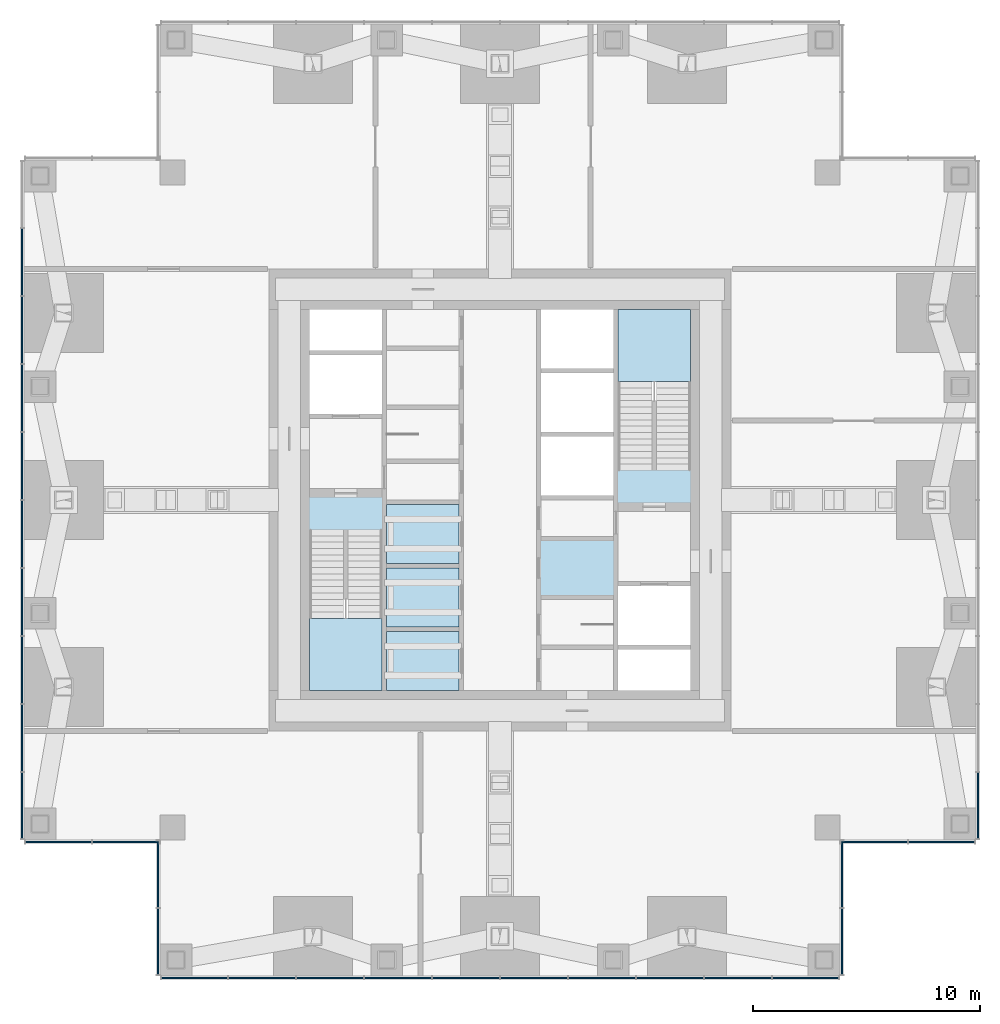
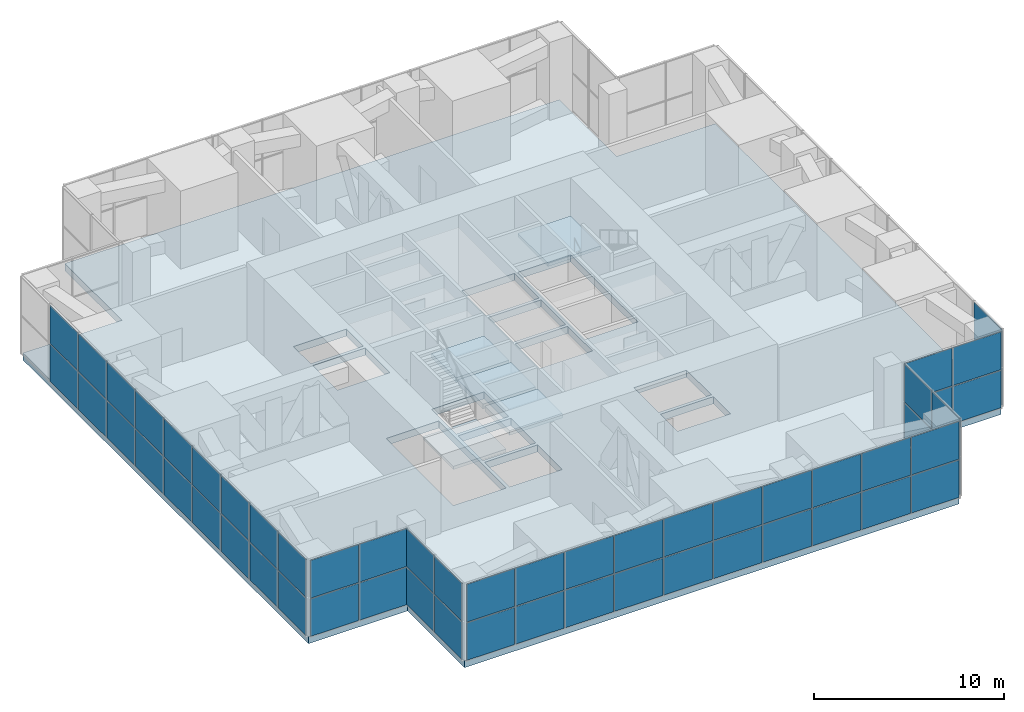
# One storey, part 9 of 13: 56 plates, 6 slabs, 9 elements without a shape of their own.
"""IFC4 building model written with IfcOpenShell, lengths in metres."""

from ifc_helpers import new_model, si_unit, direction, frame, origin, origin_2d, place, context, subcontext, project, spatial, polyline, rectangle, outline, extrude, material, layer, layer_set, type_object, element, aggregate, save


model = new_model("IFC4")

# Units and contexts
model_context = context("Model", 3, precision=1e-05, world=origin(), true_north=direction((0.0, 1.0)))
body_context = subcontext(model_context, "Body", "Model", "MODEL_VIEW")
ifc_project = project(units=[si_unit("LENGTHUNIT", "METRE"), si_unit("AREAUNIT", "SQUARE_METRE"), si_unit("VOLUMEUNIT", "CUBIC_METRE"), si_unit("PLANEANGLEUNIT", "RADIAN"), si_unit("MASSUNIT", "GRAM", prefix="KILO")], contexts=[model_context])

# Site, building, storey
site_placement = place(None, origin())
site = spatial("IfcSite", under=ifc_project, at=site_placement, CompositionType="ELEMENT")
building_placement = place(site_placement, origin())
building = spatial("IfcBuilding", under=site, at=building_placement, Name="Svetlomir Tower", CompositionType="ELEMENT")
storey_placement = place(building_placement, frame((0.0, 0.0, 86.5)))
storey = spatial("IfcBuildingStorey", under=building, at=storey_placement, Name="L20", CompositionType="ELEMENT", Elevation=86.5)

# Curtain wall, plates
ifc_material_1 = material(Name="Bronze anodised aluminium curtain wall", Category="aluminium")
curtain_wall_type = type_object("IfcCurtainWallType", Name="CURTAIN WALL CW3 PLANT LOUVRE", PredefinedType="NOTDEFINED", material=ifc_material_1)
curtain_wall_1_placement = place(storey_placement, origin())
curtain_wall_1 = element("IfcCurtainWall", 1, at=curtain_wall_1_placement, inside=storey, type_object=curtain_wall_type, Name="Curtain wall CW3 L20", PredefinedType="NOTDEFINED")
ifc_material_2 = material(Name="Bronze anodised aluminium louvre", Category="aluminium")
ifc_layer_1 = layer(ifc_material_2, 0.050048828125)
ifc_layer_set_1 = layer_set([ifc_layer_1], Name="Bronze anodised aluminium louvre")
plate_type = type_object("IfcPlateType", Name="CW3 LOUVRE PANEL 50", PredefinedType="CURTAIN_PANEL", material=ifc_layer_set_1)
plate_1_placement = place(storey_placement, frame((7.516357421875, -0.090087890625, 0.06494140625), z_axis=(0.0, 0.0, 1.0), x_axis=(1.0, 0.0, 0.0)))
plate_1 = element("IfcPlate", 2, at=plate_1_placement, type_object=plate_type, Name="CW3 panel 1.1", PredefinedType="CURTAIN_PANEL", context=body_context, shape_type="SweptSolid", body=[
    extrude(rectangle(XDim=2.902587890625, YDim=0.050048828125, at=origin_2d()), origin(), (0.0, 0.0, 1.0), 2.38623046875),
])
plate_2_placement = place(storey_placement, frame((7.516357421875, -0.090087890625, 2.51611328125), z_axis=(0.0, 0.0, 1.0), x_axis=(1.0, 0.0, 0.0)))
plate_2 = element("IfcPlate", 3, at=plate_2_placement, type_object=plate_type, Name="CW3 panel 1.2", PredefinedType="CURTAIN_PANEL", context=body_context, shape_type="SweptSolid", body=[
    extrude(rectangle(XDim=2.902587890625, YDim=0.050048828125, at=origin_2d()), origin(), (0.0, 0.0, 1.0), 2.418701171875),
])
plate_3_placement = place(storey_placement, frame((10.5, -0.090087890625, 0.06494140625), z_axis=(0.0, 0.0, 1.0), x_axis=(1.0, 0.0, 0.0)))
plate_3 = element("IfcPlate", 4, at=plate_3_placement, type_object=plate_type, Name="CW3 panel 2.1", PredefinedType="CURTAIN_PANEL", context=body_context, shape_type="SweptSolid", body=[
    extrude(rectangle(XDim=2.93505859375, YDim=0.050048828125, at=origin_2d()), origin(), (0.0, 0.0, 1.0), 2.38623046875),
])
plate_4_placement = place(storey_placement, frame((10.5, -0.090087890625, 2.51611328125), z_axis=(0.0, 0.0, 1.0), x_axis=(1.0, 0.0, 0.0)))
plate_4 = element("IfcPlate", 5, at=plate_4_placement, type_object=plate_type, Name="CW3 panel 2.2", PredefinedType="CURTAIN_PANEL", context=body_context, shape_type="SweptSolid", body=[
    extrude(rectangle(XDim=2.93505859375, YDim=0.050048828125, at=origin_2d()), origin(), (0.0, 0.0, 1.0), 2.418701171875),
])
plate_5_placement = place(storey_placement, frame((13.5, -0.090087890625, 0.06494140625), z_axis=(0.0, 0.0, 1.0), x_axis=(1.0, 0.0, 0.0)))
plate_5 = element("IfcPlate", 6, at=plate_5_placement, type_object=plate_type, Name="CW3 panel 3.1", PredefinedType="CURTAIN_PANEL", context=body_context, shape_type="SweptSolid", body=[
    extrude(rectangle(XDim=2.93505859375, YDim=0.050048828125, at=origin_2d()), origin(), (0.0, 0.0, 1.0), 2.38623046875),
])
plate_6_placement = place(storey_placement, frame((13.5, -0.090087890625, 2.51611328125), z_axis=(0.0, 0.0, 1.0), x_axis=(1.0, 0.0, 0.0)))
plate_6 = element("IfcPlate", 7, at=plate_6_placement, type_object=plate_type, Name="CW3 panel 3.2", PredefinedType="CURTAIN_PANEL", context=body_context, shape_type="SweptSolid", body=[
    extrude(rectangle(XDim=2.93505859375, YDim=0.050048828125, at=origin_2d()), origin(), (0.0, 0.0, 1.0), 2.418701171875),
])
plate_7_placement = place(storey_placement, frame((16.5, -0.090087890625, 0.06494140625), z_axis=(0.0, 0.0, 1.0), x_axis=(1.0, 0.0, 0.0)))
plate_7 = element("IfcPlate", 8, at=plate_7_placement, type_object=plate_type, Name="CW3 panel 4.1", PredefinedType="CURTAIN_PANEL", context=body_context, shape_type="SweptSolid", body=[
    extrude(rectangle(XDim=2.93505859375, YDim=0.050048828125, at=origin_2d()), origin(), (0.0, 0.0, 1.0), 2.38623046875),
])
plate_8_placement = place(storey_placement, frame((16.5, -0.090087890625, 2.51611328125), z_axis=(0.0, 0.0, 1.0), x_axis=(1.0, 0.0, 0.0)))
plate_8 = element("IfcPlate", 9, at=plate_8_placement, type_object=plate_type, Name="CW3 panel 4.2", PredefinedType="CURTAIN_PANEL", context=body_context, shape_type="SweptSolid", body=[
    extrude(rectangle(XDim=2.93505859375, YDim=0.050048828125, at=origin_2d()), origin(), (0.0, 0.0, 1.0), 2.418701171875),
])
plate_9_placement = place(storey_placement, frame((19.5, -0.090087890625, 0.06494140625), z_axis=(0.0, 0.0, 1.0), x_axis=(1.0, 0.0, 0.0)))
plate_9 = element("IfcPlate", 10, at=plate_9_placement, type_object=plate_type, Name="CW3 panel 5.1", PredefinedType="CURTAIN_PANEL", context=body_context, shape_type="SweptSolid", body=[
    extrude(rectangle(XDim=2.93505859375, YDim=0.050048828125, at=origin_2d()), origin(), (0.0, 0.0, 1.0), 2.38623046875),
])
plate_10_placement = place(storey_placement, frame((19.5, -0.090087890625, 2.51611328125), z_axis=(0.0, 0.0, 1.0), x_axis=(1.0, 0.0, 0.0)))
plate_10 = element("IfcPlate", 11, at=plate_10_placement, type_object=plate_type, Name="CW3 panel 5.2", PredefinedType="CURTAIN_PANEL", context=body_context, shape_type="SweptSolid", body=[
    extrude(rectangle(XDim=2.93505859375, YDim=0.050048828125, at=origin_2d()), origin(), (0.0, 0.0, 1.0), 2.418701171875),
])
plate_11_placement = place(storey_placement, frame((22.5, -0.090087890625, 0.06494140625), z_axis=(0.0, 0.0, 1.0), x_axis=(1.0, 0.0, 0.0)))
plate_11 = element("IfcPlate", 12, at=plate_11_placement, type_object=plate_type, Name="CW3 panel 6.1", PredefinedType="CURTAIN_PANEL", context=body_context, shape_type="SweptSolid", body=[
    extrude(rectangle(XDim=2.93505859375, YDim=0.050048828125, at=origin_2d()), origin(), (0.0, 0.0, 1.0), 2.38623046875),
])
plate_12_placement = place(storey_placement, frame((22.5, -0.090087890625, 2.51611328125), z_axis=(0.0, 0.0, 1.0), x_axis=(1.0, 0.0, 0.0)))
plate_12 = element("IfcPlate", 13, at=plate_12_placement, type_object=plate_type, Name="CW3 panel 6.2", PredefinedType="CURTAIN_PANEL", context=body_context, shape_type="SweptSolid", body=[
    extrude(rectangle(XDim=2.93505859375, YDim=0.050048828125, at=origin_2d()), origin(), (0.0, 0.0, 1.0), 2.418701171875),
])
plate_13_placement = place(storey_placement, frame((25.5, -0.090087890625, 0.06494140625), z_axis=(0.0, 0.0, 1.0), x_axis=(1.0, 0.0, 0.0)))
plate_13 = element("IfcPlate", 14, at=plate_13_placement, type_object=plate_type, Name="CW3 panel 7.1", PredefinedType="CURTAIN_PANEL", context=body_context, shape_type="SweptSolid", body=[
    extrude(rectangle(XDim=2.93505859375, YDim=0.050048828125, at=origin_2d()), origin(), (0.0, 0.0, 1.0), 2.38623046875),
])
plate_14_placement = place(storey_placement, frame((25.5, -0.090087890625, 2.51611328125), z_axis=(0.0, 0.0, 1.0), x_axis=(1.0, 0.0, 0.0)))
plate_14 = element("IfcPlate", 15, at=plate_14_placement, type_object=plate_type, Name="CW3 panel 7.2", PredefinedType="CURTAIN_PANEL", context=body_context, shape_type="SweptSolid", body=[
    extrude(rectangle(XDim=2.93505859375, YDim=0.050048828125, at=origin_2d()), origin(), (0.0, 0.0, 1.0), 2.418701171875),
])
plate_15_placement = place(storey_placement, frame((28.5, -0.090087890625, 0.06494140625), z_axis=(0.0, 0.0, 1.0), x_axis=(1.0, 0.0, 0.0)))
plate_15 = element("IfcPlate", 16, at=plate_15_placement, type_object=plate_type, Name="CW3 panel 8.1", PredefinedType="CURTAIN_PANEL", context=body_context, shape_type="SweptSolid", body=[
    extrude(rectangle(XDim=2.93505859375, YDim=0.050048828125, at=origin_2d()), origin(), (0.0, 0.0, 1.0), 2.38623046875),
])
plate_16_placement = place(storey_placement, frame((28.5, -0.090087890625, 2.51611328125), z_axis=(0.0, 0.0, 1.0), x_axis=(1.0, 0.0, 0.0)))
plate_16 = element("IfcPlate", 17, at=plate_16_placement, type_object=plate_type, Name="CW3 panel 8.2", PredefinedType="CURTAIN_PANEL", context=body_context, shape_type="SweptSolid", body=[
    extrude(rectangle(XDim=2.93505859375, YDim=0.050048828125, at=origin_2d()), origin(), (0.0, 0.0, 1.0), 2.418701171875),
])
plate_17_placement = place(storey_placement, frame((31.5, -0.090087890625, 0.06494140625), z_axis=(0.0, 0.0, 1.0), x_axis=(1.0, 0.0, 0.0)))
plate_17 = element("IfcPlate", 18, at=plate_17_placement, type_object=plate_type, Name="CW3 panel 9.1", PredefinedType="CURTAIN_PANEL", context=body_context, shape_type="SweptSolid", body=[
    extrude(rectangle(XDim=2.93505859375, YDim=0.050048828125, at=origin_2d()), origin(), (0.0, 0.0, 1.0), 2.38623046875),
])
plate_18_placement = place(storey_placement, frame((31.5, -0.090087890625, 2.51611328125), z_axis=(0.0, 0.0, 1.0), x_axis=(1.0, 0.0, 0.0)))
plate_18 = element("IfcPlate", 19, at=plate_18_placement, type_object=plate_type, Name="CW3 panel 9.2", PredefinedType="CURTAIN_PANEL", context=body_context, shape_type="SweptSolid", body=[
    extrude(rectangle(XDim=2.93505859375, YDim=0.050048828125, at=origin_2d()), origin(), (0.0, 0.0, 1.0), 2.418701171875),
])
plate_19_placement = place(storey_placement, frame((34.483642578125, -0.090087890625, 0.06494140625), z_axis=(0.0, 0.0, 1.0), x_axis=(1.0, 0.0, 0.0)))
plate_19 = element("IfcPlate", 20, at=plate_19_placement, type_object=plate_type, Name="CW3 panel 10.1", PredefinedType="CURTAIN_PANEL", context=body_context, shape_type="SweptSolid", body=[
    extrude(rectangle(XDim=2.902587890625, YDim=0.050048828125, at=origin_2d()), origin(), (0.0, 0.0, 1.0), 2.38623046875),
])
plate_20_placement = place(storey_placement, frame((34.483642578125, -0.090087890625, 2.51611328125), z_axis=(0.0, 0.0, 1.0), x_axis=(1.0, 0.0, 0.0)))
plate_20 = element("IfcPlate", 21, at=plate_20_placement, type_object=plate_type, Name="CW3 panel 10.2", PredefinedType="CURTAIN_PANEL", context=body_context, shape_type="SweptSolid", body=[
    extrude(rectangle(XDim=2.902587890625, YDim=0.050048828125, at=origin_2d()), origin(), (0.0, 0.0, 1.0), 2.418701171875),
])
aggregate(curtain_wall_1, [plate_1, plate_2, plate_3, plate_4, plate_5, plate_6, plate_7, plate_8, plate_9, plate_10, plate_11, plate_12, plate_13, plate_14, plate_15, plate_16, plate_17, plate_18, plate_19, plate_20])

curtain_wall_2_placement = place(storey_placement, origin())
curtain_wall_2 = element("IfcCurtainWall", 22, at=curtain_wall_2_placement, inside=storey, type_object=curtain_wall_type, Name="Curtain wall CW3 L20", PredefinedType="NOTDEFINED")
plate_21_placement = place(storey_placement, frame((36.090087890625, 1.516357421875, 0.06494140625), z_axis=(0.0, 0.0, 1.0), x_axis=(0.0, 1.0, 0.0)))
plate_21 = element("IfcPlate", 23, at=plate_21_placement, type_object=plate_type, Name="CW3 panel 1.1", PredefinedType="CURTAIN_PANEL", context=body_context, shape_type="SweptSolid", body=[
    extrude(rectangle(XDim=2.902587890625, YDim=0.050048828125, at=origin_2d()), origin(), (0.0, 0.0, 1.0), 2.38623046875),
])
plate_22_placement = place(storey_placement, frame((36.090087890625, 1.516357421875, 2.51611328125), z_axis=(0.0, 0.0, 1.0), x_axis=(0.0, 1.0, 0.0)))
plate_22 = element("IfcPlate", 24, at=plate_22_placement, type_object=plate_type, Name="CW3 panel 1.2", PredefinedType="CURTAIN_PANEL", context=body_context, shape_type="SweptSolid", body=[
    extrude(rectangle(XDim=2.902587890625, YDim=0.050048828125, at=origin_2d()), origin(), (0.0, 0.0, 1.0), 2.418701171875),
])
plate_23_placement = place(storey_placement, frame((36.090087890625, 4.483642578125, 0.06494140625), z_axis=(0.0, 0.0, 1.0), x_axis=(0.0, 1.0, 0.0)))
plate_23 = element("IfcPlate", 25, at=plate_23_placement, type_object=plate_type, Name="CW3 panel 2.1", PredefinedType="CURTAIN_PANEL", context=body_context, shape_type="SweptSolid", body=[
    extrude(rectangle(XDim=2.902587890625, YDim=0.050048828125, at=origin_2d()), origin(), (0.0, 0.0, 1.0), 2.38623046875),
])
plate_24_placement = place(storey_placement, frame((36.090087890625, 4.483642578125, 2.51611328125), z_axis=(0.0, 0.0, 1.0), x_axis=(0.0, 1.0, 0.0)))
plate_24 = element("IfcPlate", 26, at=plate_24_placement, type_object=plate_type, Name="CW3 panel 2.2", PredefinedType="CURTAIN_PANEL", context=body_context, shape_type="SweptSolid", body=[
    extrude(rectangle(XDim=2.902587890625, YDim=0.050048828125, at=origin_2d()), origin(), (0.0, 0.0, 1.0), 2.418701171875),
])
aggregate(curtain_wall_2, [plate_21, plate_22, plate_23, plate_24])

curtain_wall_3_placement = place(storey_placement, origin())
curtain_wall_3 = element("IfcCurtainWall", 27, at=curtain_wall_3_placement, inside=storey, type_object=curtain_wall_type, Name="Curtain wall CW3 L20", PredefinedType="NOTDEFINED")
plate_25_placement = place(storey_placement, frame((37.516357421875, 5.909912109375, 0.06494140625), z_axis=(0.0, 0.0, 1.0), x_axis=(1.0, 0.0, 0.0)))
plate_25 = element("IfcPlate", 28, at=plate_25_placement, type_object=plate_type, Name="CW3 panel 1.1", PredefinedType="CURTAIN_PANEL", context=body_context, shape_type="SweptSolid", body=[
    extrude(rectangle(XDim=2.902587890625, YDim=0.050048828125, at=origin_2d()), origin(), (0.0, 0.0, 1.0), 2.38623046875),
])
plate_26_placement = place(storey_placement, frame((37.516357421875, 5.909912109375, 2.51611328125), z_axis=(0.0, 0.0, 1.0), x_axis=(1.0, 0.0, 0.0)))
plate_26 = element("IfcPlate", 29, at=plate_26_placement, type_object=plate_type, Name="CW3 panel 1.2", PredefinedType="CURTAIN_PANEL", context=body_context, shape_type="SweptSolid", body=[
    extrude(rectangle(XDim=2.902587890625, YDim=0.050048828125, at=origin_2d()), origin(), (0.0, 0.0, 1.0), 2.418701171875),
])
plate_27_placement = place(storey_placement, frame((40.483642578125, 5.909912109375, 0.06494140625), z_axis=(0.0, 0.0, 1.0), x_axis=(1.0, 0.0, 0.0)))
plate_27 = element("IfcPlate", 30, at=plate_27_placement, type_object=plate_type, Name="CW3 panel 2.1", PredefinedType="CURTAIN_PANEL", context=body_context, shape_type="SweptSolid", body=[
    extrude(rectangle(XDim=2.902587890625, YDim=0.050048828125, at=origin_2d()), origin(), (0.0, 0.0, 1.0), 2.38623046875),
])
plate_28_placement = place(storey_placement, frame((40.483642578125, 5.909912109375, 2.51611328125), z_axis=(0.0, 0.0, 1.0), x_axis=(1.0, 0.0, 0.0)))
plate_28 = element("IfcPlate", 31, at=plate_28_placement, type_object=plate_type, Name="CW3 panel 2.2", PredefinedType="CURTAIN_PANEL", context=body_context, shape_type="SweptSolid", body=[
    extrude(rectangle(XDim=2.902587890625, YDim=0.050048828125, at=origin_2d()), origin(), (0.0, 0.0, 1.0), 2.418701171875),
])
aggregate(curtain_wall_3, [plate_25, plate_26, plate_27, plate_28])

curtain_wall_4_placement = place(storey_placement, origin())
curtain_wall_4 = element("IfcCurtainWall", 32, at=curtain_wall_4_placement, inside=storey, type_object=curtain_wall_type, Name="Curtain wall CW3 L20", PredefinedType="NOTDEFINED")
plate_29_placement = place(storey_placement, frame((42.090087890625, 7.516357421875, 0.06494140625), z_axis=(0.0, 0.0, 1.0), x_axis=(0.0, 1.0, 0.0)))
plate_29 = element("IfcPlate", 33, at=plate_29_placement, type_object=plate_type, Name="CW3 panel 1.1", PredefinedType="CURTAIN_PANEL", context=body_context, shape_type="SweptSolid", body=[
    extrude(rectangle(XDim=2.902587890625, YDim=0.050048828125, at=origin_2d()), origin(), (0.0, 0.0, 1.0), 2.38623046875),
])
plate_30_placement = place(storey_placement, frame((42.090087890625, 7.516357421875, 2.51611328125), z_axis=(0.0, 0.0, 1.0), x_axis=(0.0, 1.0, 0.0)))
plate_30 = element("IfcPlate", 34, at=plate_30_placement, type_object=plate_type, Name="CW3 panel 1.2", PredefinedType="CURTAIN_PANEL", context=body_context, shape_type="SweptSolid", body=[
    extrude(rectangle(XDim=2.902587890625, YDim=0.050048828125, at=origin_2d()), origin(), (0.0, 0.0, 1.0), 2.418701171875),
])
aggregate(curtain_wall_4, [plate_29, plate_30])

curtain_wall_5_placement = place(storey_placement, origin())
curtain_wall_5 = element("IfcCurtainWall", 35, at=curtain_wall_5_placement, inside=storey, type_object=curtain_wall_type, Name="Curtain wall CW3 L20", PredefinedType="NOTDEFINED")
plate_31_placement = place(storey_placement, frame((-0.090087890625, 31.5, 0.06494140625), z_axis=(0.0, 0.0, 1.0), x_axis=(0.0, -1.0, 0.0)))
plate_31 = element("IfcPlate", 36, at=plate_31_placement, type_object=plate_type, Name="CW3 panel 2.1", PredefinedType="CURTAIN_PANEL", context=body_context, shape_type="SweptSolid", body=[
    extrude(rectangle(XDim=2.93505859375, YDim=0.050048828125, at=origin_2d()), origin(), (0.0, 0.0, 1.0), 2.38623046875),
])
plate_32_placement = place(storey_placement, frame((-0.090087890625, 31.5, 2.51611328125), z_axis=(0.0, 0.0, 1.0), x_axis=(0.0, -1.0, 0.0)))
plate_32 = element("IfcPlate", 37, at=plate_32_placement, type_object=plate_type, Name="CW3 panel 2.2", PredefinedType="CURTAIN_PANEL", context=body_context, shape_type="SweptSolid", body=[
    extrude(rectangle(XDim=2.93505859375, YDim=0.050048828125, at=origin_2d()), origin(), (0.0, 0.0, 1.0), 2.418701171875),
])
plate_33_placement = place(storey_placement, frame((-0.090087890625, 28.5, 0.06494140625), z_axis=(0.0, 0.0, 1.0), x_axis=(0.0, -1.0, 0.0)))
plate_33 = element("IfcPlate", 38, at=plate_33_placement, type_object=plate_type, Name="CW3 panel 3.1", PredefinedType="CURTAIN_PANEL", context=body_context, shape_type="SweptSolid", body=[
    extrude(rectangle(XDim=2.93505859375, YDim=0.050048828125, at=origin_2d()), origin(), (0.0, 0.0, 1.0), 2.38623046875),
])
plate_34_placement = place(storey_placement, frame((-0.090087890625, 28.5, 2.51611328125), z_axis=(0.0, 0.0, 1.0), x_axis=(0.0, -1.0, 0.0)))
plate_34 = element("IfcPlate", 39, at=plate_34_placement, type_object=plate_type, Name="CW3 panel 3.2", PredefinedType="CURTAIN_PANEL", context=body_context, shape_type="SweptSolid", body=[
    extrude(rectangle(XDim=2.93505859375, YDim=0.050048828125, at=origin_2d()), origin(), (0.0, 0.0, 1.0), 2.418701171875),
])
plate_35_placement = place(storey_placement, frame((-0.090087890625, 25.5, 0.06494140625), z_axis=(0.0, 0.0, 1.0), x_axis=(0.0, -1.0, 0.0)))
plate_35 = element("IfcPlate", 40, at=plate_35_placement, type_object=plate_type, Name="CW3 panel 4.1", PredefinedType="CURTAIN_PANEL", context=body_context, shape_type="SweptSolid", body=[
    extrude(rectangle(XDim=2.93505859375, YDim=0.050048828125, at=origin_2d()), origin(), (0.0, 0.0, 1.0), 2.38623046875),
])
plate_36_placement = place(storey_placement, frame((-0.090087890625, 25.5, 2.51611328125), z_axis=(0.0, 0.0, 1.0), x_axis=(0.0, -1.0, 0.0)))
plate_36 = element("IfcPlate", 41, at=plate_36_placement, type_object=plate_type, Name="CW3 panel 4.2", PredefinedType="CURTAIN_PANEL", context=body_context, shape_type="SweptSolid", body=[
    extrude(rectangle(XDim=2.93505859375, YDim=0.050048828125, at=origin_2d()), origin(), (0.0, 0.0, 1.0), 2.418701171875),
])
plate_37_placement = place(storey_placement, frame((-0.090087890625, 22.5, 0.06494140625), z_axis=(0.0, 0.0, 1.0), x_axis=(0.0, -1.0, 0.0)))
plate_37 = element("IfcPlate", 42, at=plate_37_placement, type_object=plate_type, Name="CW3 panel 5.1", PredefinedType="CURTAIN_PANEL", context=body_context, shape_type="SweptSolid", body=[
    extrude(rectangle(XDim=2.93505859375, YDim=0.050048828125, at=origin_2d()), origin(), (0.0, 0.0, 1.0), 2.38623046875),
])
plate_38_placement = place(storey_placement, frame((-0.090087890625, 22.5, 2.51611328125), z_axis=(0.0, 0.0, 1.0), x_axis=(0.0, -1.0, 0.0)))
plate_38 = element("IfcPlate", 43, at=plate_38_placement, type_object=plate_type, Name="CW3 panel 5.2", PredefinedType="CURTAIN_PANEL", context=body_context, shape_type="SweptSolid", body=[
    extrude(rectangle(XDim=2.93505859375, YDim=0.050048828125, at=origin_2d()), origin(), (0.0, 0.0, 1.0), 2.418701171875),
])
plate_39_placement = place(storey_placement, frame((-0.090087890625, 19.5, 0.06494140625), z_axis=(0.0, 0.0, 1.0), x_axis=(0.0, -1.0, 0.0)))
plate_39 = element("IfcPlate", 44, at=plate_39_placement, type_object=plate_type, Name="CW3 panel 6.1", PredefinedType="CURTAIN_PANEL", context=body_context, shape_type="SweptSolid", body=[
    extrude(rectangle(XDim=2.93505859375, YDim=0.050048828125, at=origin_2d()), origin(), (0.0, 0.0, 1.0), 2.38623046875),
])
plate_40_placement = place(storey_placement, frame((-0.090087890625, 19.5, 2.51611328125), z_axis=(0.0, 0.0, 1.0), x_axis=(0.0, -1.0, 0.0)))
plate_40 = element("IfcPlate", 45, at=plate_40_placement, type_object=plate_type, Name="CW3 panel 6.2", PredefinedType="CURTAIN_PANEL", context=body_context, shape_type="SweptSolid", body=[
    extrude(rectangle(XDim=2.93505859375, YDim=0.050048828125, at=origin_2d()), origin(), (0.0, 0.0, 1.0), 2.418701171875),
])
plate_41_placement = place(storey_placement, frame((-0.090087890625, 16.5, 0.06494140625), z_axis=(0.0, 0.0, 1.0), x_axis=(0.0, -1.0, 0.0)))
plate_41 = element("IfcPlate", 46, at=plate_41_placement, type_object=plate_type, Name="CW3 panel 7.1", PredefinedType="CURTAIN_PANEL", context=body_context, shape_type="SweptSolid", body=[
    extrude(rectangle(XDim=2.93505859375, YDim=0.050048828125, at=origin_2d()), origin(), (0.0, 0.0, 1.0), 2.38623046875),
])
plate_42_placement = place(storey_placement, frame((-0.090087890625, 16.5, 2.51611328125), z_axis=(0.0, 0.0, 1.0), x_axis=(0.0, -1.0, 0.0)))
plate_42 = element("IfcPlate", 47, at=plate_42_placement, type_object=plate_type, Name="CW3 panel 7.2", PredefinedType="CURTAIN_PANEL", context=body_context, shape_type="SweptSolid", body=[
    extrude(rectangle(XDim=2.93505859375, YDim=0.050048828125, at=origin_2d()), origin(), (0.0, 0.0, 1.0), 2.418701171875),
])
plate_43_placement = place(storey_placement, frame((-0.090087890625, 13.5, 0.06494140625), z_axis=(0.0, 0.0, 1.0), x_axis=(0.0, -1.0, 0.0)))
plate_43 = element("IfcPlate", 48, at=plate_43_placement, type_object=plate_type, Name="CW3 panel 8.1", PredefinedType="CURTAIN_PANEL", context=body_context, shape_type="SweptSolid", body=[
    extrude(rectangle(XDim=2.93505859375, YDim=0.050048828125, at=origin_2d()), origin(), (0.0, 0.0, 1.0), 2.38623046875),
])
plate_44_placement = place(storey_placement, frame((-0.090087890625, 13.5, 2.51611328125), z_axis=(0.0, 0.0, 1.0), x_axis=(0.0, -1.0, 0.0)))
plate_44 = element("IfcPlate", 49, at=plate_44_placement, type_object=plate_type, Name="CW3 panel 8.2", PredefinedType="CURTAIN_PANEL", context=body_context, shape_type="SweptSolid", body=[
    extrude(rectangle(XDim=2.93505859375, YDim=0.050048828125, at=origin_2d()), origin(), (0.0, 0.0, 1.0), 2.418701171875),
])
plate_45_placement = place(storey_placement, frame((-0.090087890625, 10.5, 0.06494140625), z_axis=(0.0, 0.0, 1.0), x_axis=(0.0, -1.0, 0.0)))
plate_45 = element("IfcPlate", 50, at=plate_45_placement, type_object=plate_type, Name="CW3 panel 9.1", PredefinedType="CURTAIN_PANEL", context=body_context, shape_type="SweptSolid", body=[
    extrude(rectangle(XDim=2.93505859375, YDim=0.050048828125, at=origin_2d()), origin(), (0.0, 0.0, 1.0), 2.38623046875),
])
plate_46_placement = place(storey_placement, frame((-0.090087890625, 10.5, 2.51611328125), z_axis=(0.0, 0.0, 1.0), x_axis=(0.0, -1.0, 0.0)))
plate_46 = element("IfcPlate", 51, at=plate_46_placement, type_object=plate_type, Name="CW3 panel 9.2", PredefinedType="CURTAIN_PANEL", context=body_context, shape_type="SweptSolid", body=[
    extrude(rectangle(XDim=2.93505859375, YDim=0.050048828125, at=origin_2d()), origin(), (0.0, 0.0, 1.0), 2.418701171875),
])
plate_47_placement = place(storey_placement, frame((-0.090087890625, 7.516357421875, 0.06494140625), z_axis=(0.0, 0.0, 1.0), x_axis=(0.0, -1.0, 0.0)))
plate_47 = element("IfcPlate", 52, at=plate_47_placement, type_object=plate_type, Name="CW3 panel 10.1", PredefinedType="CURTAIN_PANEL", context=body_context, shape_type="SweptSolid", body=[
    extrude(rectangle(XDim=2.902587890625, YDim=0.050048828125, at=origin_2d()), origin(), (0.0, 0.0, 1.0), 2.38623046875),
])
plate_48_placement = place(storey_placement, frame((-0.090087890625, 7.516357421875, 2.51611328125), z_axis=(0.0, 0.0, 1.0), x_axis=(0.0, -1.0, 0.0)))
plate_48 = element("IfcPlate", 53, at=plate_48_placement, type_object=plate_type, Name="CW3 panel 10.2", PredefinedType="CURTAIN_PANEL", context=body_context, shape_type="SweptSolid", body=[
    extrude(rectangle(XDim=2.902587890625, YDim=0.050048828125, at=origin_2d()), origin(), (0.0, 0.0, 1.0), 2.418701171875),
])
aggregate(curtain_wall_5, [plate_31, plate_32, plate_33, plate_34, plate_35, plate_36, plate_37, plate_38, plate_39, plate_40, plate_41, plate_42, plate_43, plate_44, plate_45, plate_46, plate_47, plate_48])

curtain_wall_6_placement = place(storey_placement, origin())
curtain_wall_6 = element("IfcCurtainWall", 54, at=curtain_wall_6_placement, inside=storey, type_object=curtain_wall_type, Name="Curtain wall CW3 L20", PredefinedType="NOTDEFINED")
plate_49_placement = place(storey_placement, frame((1.516357421875, 5.909912109375, 0.06494140625), z_axis=(0.0, 0.0, 1.0), x_axis=(1.0, 0.0, 0.0)))
plate_49 = element("IfcPlate", 55, at=plate_49_placement, type_object=plate_type, Name="CW3 panel 1.1", PredefinedType="CURTAIN_PANEL", context=body_context, shape_type="SweptSolid", body=[
    extrude(rectangle(XDim=2.902587890625, YDim=0.050048828125, at=origin_2d()), origin(), (0.0, 0.0, 1.0), 2.38623046875),
])
plate_50_placement = place(storey_placement, frame((1.516357421875, 5.909912109375, 2.51611328125), z_axis=(0.0, 0.0, 1.0), x_axis=(1.0, 0.0, 0.0)))
plate_50 = element("IfcPlate", 56, at=plate_50_placement, type_object=plate_type, Name="CW3 panel 1.2", PredefinedType="CURTAIN_PANEL", context=body_context, shape_type="SweptSolid", body=[
    extrude(rectangle(XDim=2.902587890625, YDim=0.050048828125, at=origin_2d()), origin(), (0.0, 0.0, 1.0), 2.418701171875),
])
plate_51_placement = place(storey_placement, frame((4.483642578125, 5.909912109375, 0.06494140625), z_axis=(0.0, 0.0, 1.0), x_axis=(1.0, 0.0, 0.0)))
plate_51 = element("IfcPlate", 57, at=plate_51_placement, type_object=plate_type, Name="CW3 panel 2.1", PredefinedType="CURTAIN_PANEL", context=body_context, shape_type="SweptSolid", body=[
    extrude(rectangle(XDim=2.902587890625, YDim=0.050048828125, at=origin_2d()), origin(), (0.0, 0.0, 1.0), 2.38623046875),
])
plate_52_placement = place(storey_placement, frame((4.483642578125, 5.909912109375, 2.51611328125), z_axis=(0.0, 0.0, 1.0), x_axis=(1.0, 0.0, 0.0)))
plate_52 = element("IfcPlate", 58, at=plate_52_placement, type_object=plate_type, Name="CW3 panel 2.2", PredefinedType="CURTAIN_PANEL", context=body_context, shape_type="SweptSolid", body=[
    extrude(rectangle(XDim=2.902587890625, YDim=0.050048828125, at=origin_2d()), origin(), (0.0, 0.0, 1.0), 2.418701171875),
])
aggregate(curtain_wall_6, [plate_49, plate_50, plate_51, plate_52])

curtain_wall_7_placement = place(storey_placement, origin())
curtain_wall_7 = element("IfcCurtainWall", 59, at=curtain_wall_7_placement, inside=storey, type_object=curtain_wall_type, Name="Curtain wall CW3 L20", PredefinedType="NOTDEFINED")
plate_53_placement = place(storey_placement, frame((5.909912109375, 4.483642578125, 0.06494140625), z_axis=(0.0, 0.0, 1.0), x_axis=(0.0, -1.0, 0.0)))
plate_53 = element("IfcPlate", 60, at=plate_53_placement, type_object=plate_type, Name="CW3 panel 1.1", PredefinedType="CURTAIN_PANEL", context=body_context, shape_type="SweptSolid", body=[
    extrude(rectangle(XDim=2.902587890625, YDim=0.050048828125, at=origin_2d()), origin(), (0.0, 0.0, 1.0), 2.38623046875),
])
plate_54_placement = place(storey_placement, frame((5.909912109375, 4.483642578125, 2.51611328125), z_axis=(0.0, 0.0, 1.0), x_axis=(0.0, -1.0, 0.0)))
plate_54 = element("IfcPlate", 61, at=plate_54_placement, type_object=plate_type, Name="CW3 panel 1.2", PredefinedType="CURTAIN_PANEL", context=body_context, shape_type="SweptSolid", body=[
    extrude(rectangle(XDim=2.902587890625, YDim=0.050048828125, at=origin_2d()), origin(), (0.0, 0.0, 1.0), 2.418701171875),
])
plate_55_placement = place(storey_placement, frame((5.909912109375, 1.516357421875, 0.06494140625), z_axis=(0.0, 0.0, 1.0), x_axis=(0.0, -1.0, 0.0)))
plate_55 = element("IfcPlate", 62, at=plate_55_placement, type_object=plate_type, Name="CW3 panel 2.1", PredefinedType="CURTAIN_PANEL", context=body_context, shape_type="SweptSolid", body=[
    extrude(rectangle(XDim=2.902587890625, YDim=0.050048828125, at=origin_2d()), origin(), (0.0, 0.0, 1.0), 2.38623046875),
])
plate_56_placement = place(storey_placement, frame((5.909912109375, 1.516357421875, 2.51611328125), z_axis=(0.0, 0.0, 1.0), x_axis=(0.0, -1.0, 0.0)))
plate_56 = element("IfcPlate", 63, at=plate_56_placement, type_object=plate_type, Name="CW3 panel 2.2", PredefinedType="CURTAIN_PANEL", context=body_context, shape_type="SweptSolid", body=[
    extrude(rectangle(XDim=2.902587890625, YDim=0.050048828125, at=origin_2d()), origin(), (0.0, 0.0, 1.0), 2.418701171875),
])
aggregate(curtain_wall_7, [plate_53, plate_54, plate_55, plate_56])

# Slabs
ifc_material_3 = material(Name="Concrete C60/75", Category="concrete")
ifc_layer_2 = layer(ifc_material_3, 0.449951171875)
ifc_layer_set_2 = layer_set([ifc_layer_2], Name="Concrete C60/75")
slab_type_1 = type_object("IfcSlabType", Name="FLOOR SLAB 450", PredefinedType="FLOOR", material=ifc_layer_set_2)
slab_1_placement = place(storey_placement, frame((0.0, 0.0, -0.449951171875)))
element("IfcSlab", 64, at=slab_1_placement, inside=storey, type_object=slab_type_1, Name="L20 floor slab", PredefinedType="FLOOR", context=body_context, shape_type="SweptSolid", body=[
    extrude(outline(polyline([(6.0, 0.0), (36.0, 0.0), (36.0, 6.0), (42.0, 6.0), (42.0, 36.0), (36.0, 36.0), (36.0, 42.0), (6.0, 42.0), (6.0, 36.0), (0.0, 36.0), (0.0, 6.0), (6.0, 6.0), (6.0, 0.0)]), holes=[polyline([(12.60009765625, 24.800048828125), (15.800048828125, 24.800048828125), (15.800048828125, 27.39990234375), (12.60009765625, 27.39990234375), (12.60009765625, 24.800048828125)]), polyline([(26.199951171875, 14.60009765625), (29.39990234375, 14.60009765625), (29.39990234375, 17.199951171875), (26.199951171875, 17.199951171875), (26.199951171875, 14.60009765625)]), polyline([(16.0, 12.60009765625), (19.199951171875, 12.60009765625), (19.199951171875, 15.199951171875), (16.0, 15.199951171875), (16.0, 12.60009765625)]), polyline([(16.0, 15.39990234375), (19.199951171875, 15.39990234375), (19.199951171875, 18.0), (16.0, 18.0), (16.0, 15.39990234375)]), polyline([(16.0, 18.199951171875), (19.199951171875, 18.199951171875), (19.199951171875, 20.800048828125), (16.0, 20.800048828125), (16.0, 18.199951171875)]), polyline([(22.800048828125, 21.199951171875), (26.0, 21.199951171875), (26.0, 23.800048828125), (22.800048828125, 23.800048828125), (22.800048828125, 21.199951171875)]), polyline([(22.800048828125, 24.0), (26.0, 24.0), (26.0, 26.60009765625), (22.800048828125, 26.60009765625), (22.800048828125, 24.0)]), polyline([(22.800048828125, 26.800048828125), (26.0, 26.800048828125), (26.0, 29.39990234375), (22.800048828125, 29.39990234375), (22.800048828125, 26.800048828125)]), polyline([(12.60009765625, 27.60009765625), (15.800048828125, 27.60009765625), (15.800048828125, 29.39990234375), (12.60009765625, 29.39990234375), (12.60009765625, 27.60009765625)]), polyline([(26.199951171875, 12.60009765625), (29.39990234375, 12.60009765625), (29.39990234375, 14.39990234375), (26.199951171875, 14.39990234375), (26.199951171875, 12.60009765625)]), polyline([(12.60009765625, 12.60009765625), (15.800048828125, 12.60009765625), (15.800048828125, 19.679931640625), (12.60009765625, 19.679931640625), (12.60009765625, 12.60009765625)]), polyline([(26.199951171875, 22.320068359375), (29.39990234375, 22.320068359375), (29.39990234375, 29.39990234375), (26.199951171875, 29.39990234375), (26.199951171875, 22.320068359375)])]), origin(), (0.0, 0.0, 1.0), 0.449951171875),
])
ifc_material_4 = material(Name="Concrete C60/75", Category="concrete")
ifc_layer_3 = layer(ifc_material_4, 0.300048828125)
ifc_layer_set_3 = layer_set([ifc_layer_3], Name="Concrete C60/75")
slab_type_2 = type_object("IfcSlabType", Name="LIFT PIT SLAB 300", PredefinedType="USERDEFINED", material=ifc_layer_set_3)
slab_2_placement = place(storey_placement, frame((0.0, 0.0, 3.300048828125)))
element("IfcSlab", 65, at=slab_2_placement, inside=storey, type_object=slab_type_2, Name="Lift pit slab BANK-W1 under L21", ObjectType="LIFT PIT", PredefinedType="USERDEFINED", context=body_context, shape_type="SweptSolid", body=[
    extrude(outline(polyline([(16.0, 12.60009765625), (19.199951171875, 12.60009765625), (19.199951171875, 15.199951171875), (16.0, 15.199951171875), (16.0, 12.60009765625)])), origin(), (0.0, 0.0, 1.0), 0.300048828125),
])
slab_3_placement = place(storey_placement, frame((0.0, 0.0, 3.300048828125)))
element("IfcSlab", 66, at=slab_3_placement, inside=storey, type_object=slab_type_2, Name="Lift pit slab BANK-W2 under L21", ObjectType="LIFT PIT", PredefinedType="USERDEFINED", context=body_context, shape_type="SweptSolid", body=[
    extrude(outline(polyline([(16.0, 15.39990234375), (19.199951171875, 15.39990234375), (19.199951171875, 18.0), (16.0, 18.0), (16.0, 15.39990234375)])), origin(), (0.0, 0.0, 1.0), 0.300048828125),
])
slab_4_placement = place(storey_placement, frame((0.0, 0.0, 3.300048828125)))
element("IfcSlab", 67, at=slab_4_placement, inside=storey, type_object=slab_type_2, Name="Lift pit slab BANK-W3 under L21", ObjectType="LIFT PIT", PredefinedType="USERDEFINED", context=body_context, shape_type="SweptSolid", body=[
    extrude(outline(polyline([(16.0, 18.199951171875), (19.199951171875, 18.199951171875), (19.199951171875, 20.800048828125), (16.0, 20.800048828125), (16.0, 18.199951171875)])), origin(), (0.0, 0.0, 1.0), 0.300048828125),
])

# Stair, slab
ifc_material_5 = material(Name="Concrete C60/75", Category="concrete")
stair_type = type_object("IfcStairType", Name="EXIT STAIR 3200 RISE 5000", PredefinedType="HALF_TURN_STAIR", material=ifc_material_5)
stair_1_placement = place(storey_placement, origin())
stair_1 = element("IfcStair", 68, at=stair_1_placement, inside=storey, type_object=stair_type, Name="Stair S1 L20 to L21", PredefinedType="HALF_TURN_STAIR")
ifc_material_6 = material(Name="Concrete C60/75", Category="concrete")
ifc_layer_4 = layer(ifc_material_6, 0.199951171875)
ifc_layer_set_4 = layer_set([ifc_layer_4], Name="Concrete C60/75")
slab_type_3 = type_object("IfcSlabType", Name="STAIR LANDING 200", PredefinedType="LANDING", material=ifc_layer_set_4)
slab_5_placement = place(storey_placement, frame((0.0, 0.0, 2.300048828125)))
slab_5 = element("IfcSlab", 69, at=slab_5_placement, type_object=slab_type_3, Name="S1 landing 1", PredefinedType="LANDING", context=body_context, shape_type="SweptSolid", body=[
    extrude(outline(polyline([(12.60009765625, 12.60009765625), (15.800048828125, 12.60009765625), (15.800048828125, 15.780029296875), (12.60009765625, 15.780029296875), (12.60009765625, 12.60009765625)])), origin(), (0.0, 0.0, 1.0), 0.199951171875),
])
aggregate(stair_1, [slab_5])

stair_2_placement = place(storey_placement, origin())
stair_2 = element("IfcStair", 70, at=stair_2_placement, inside=storey, type_object=stair_type, Name="Stair S2 L20 to L21", PredefinedType="HALF_TURN_STAIR")
slab_6_placement = place(storey_placement, frame((0.0, 0.0, 2.300048828125)))
slab_6 = element("IfcSlab", 71, at=slab_6_placement, type_object=slab_type_3, Name="S2 landing 1", PredefinedType="LANDING", context=body_context, shape_type="SweptSolid", body=[
    extrude(outline(polyline([(26.199951171875, 26.219970703125), (29.39990234375, 26.219970703125), (29.39990234375, 29.39990234375), (26.199951171875, 29.39990234375), (26.199951171875, 26.219970703125)])), origin(), (0.0, 0.0, 1.0), 0.199951171875),
])
aggregate(stair_2, [slab_6])

save(model, "model.ifc")
